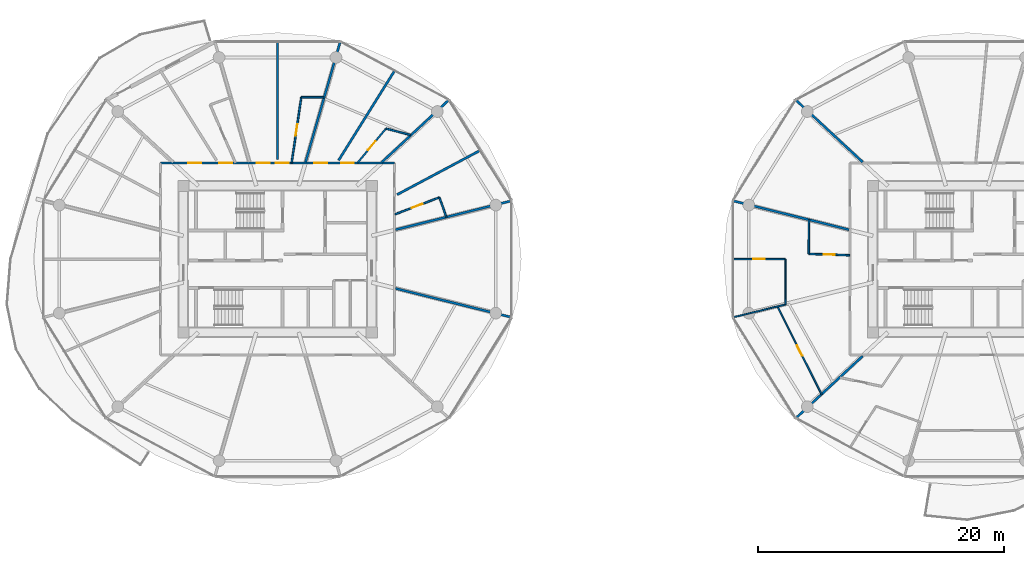
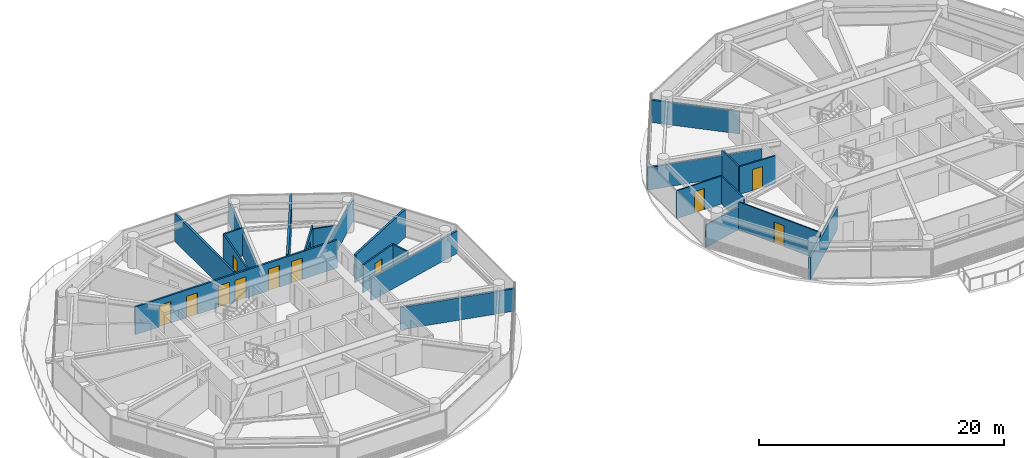
# One storey, part 17 of 27: 23 walls, 12 doors, 12 openings.
"""IFC4 building model written with IfcOpenShell, lengths in metres."""

from ifc_helpers import new_model, si_unit, direction, frame, frame_2d, origin, place, context, subcontext, project, spatial, rectangle, extrude, source, transform, mapped, material, layer, layer_set, type_object, type_shapes, element, fill, save


model = new_model("IFC4")

# Units and contexts
model_context = context("Model", 3, precision=1e-05, world=origin(), true_north=direction((0.0, 1.0)))
body_context = subcontext(model_context, "Body", "Model", "MODEL_VIEW")
ifc_project = project(units=[si_unit("LENGTHUNIT", "METRE"), si_unit("AREAUNIT", "SQUARE_METRE"), si_unit("VOLUMEUNIT", "CUBIC_METRE"), si_unit("PLANEANGLEUNIT", "RADIAN"), si_unit("MASSUNIT", "GRAM", prefix="KILO")], contexts=[model_context])

# Site, building, storey
site_placement = place(None, origin())
site = spatial("IfcSite", under=ifc_project, at=site_placement, CompositionType="ELEMENT")
building_placement = place(site_placement, origin())
building = spatial("IfcBuilding", under=site, at=building_placement, Name="Norrkilde Senior Care Towers", CompositionType="ELEMENT")
storey_placement = place(building_placement, frame((0.0, 0.0, 30.75)))
storey = spatial("IfcBuildingStorey", under=building, at=storey_placement, Name="L08", CompositionType="ELEMENT", Elevation=30.75)

# Wall, openings, doors
ifc_material_1 = material(Name="Gypsum Acoustic Board")
ifc_layer_1 = layer(ifc_material_1, 0.1650390625)
ifc_layer_set_1 = layer_set([ifc_layer_1], Name="Gypsum Acoustic Board")
wall_type_1 = type_object("IfcWallType", Name="Corridor Rated Partition 165", PredefinedType="PARTITIONING", material=ifc_layer_set_1)
shared_shape_1 = source(origin(), body_context, "Body", "SweptSolid", [
    extrude(rectangle(XDim=19.0, YDim=0.1650390625, at=frame_2d((9.5, 0.0))), origin(), (0.0, 0.0, 1.0), 2.77490234375),
])
type_shapes(wall_type_1, [shared_shape_1])
wall_1_placement = place(storey_placement, frame((-37.5, 7.800048828125, 0.0), z_axis=(0.0, 0.0, 1.0), x_axis=(1.0, 0.0, 0.0)))
wall_1 = element("IfcWall", 1, at=wall_1_placement, inside=storey, type_object=wall_type_1, Name="WL-INT-L08-W-CRW-N-0", PredefinedType="PARTITIONING", context=body_context, shape_type="MappedRepresentation", body=[
    mapped(shared_shape_1, transform((0.0, 0.0, 0.0), x_axis=(1.0, 0.0, 0.0), y_axis=(0.0, 1.0, 0.0), z_axis=(0.0, 0.0, 1.0), scale=1.0)),
])
opening_1_placement = place(wall_1_placement, frame((9.351806640625, 0.0, 0.0)))
opening_1 = element("IfcOpeningElement", 2, at=opening_1_placement, cuts=wall_1, Name="Opening D-06", PredefinedType="OPENING", context=body_context, shape_type="SweptSolid", body=[
    extrude(rectangle(XDim=1.050048828125, YDim=2.14990234375, at=frame_2d((0.52490234375, 1.074951171875))), frame((0.0, 0.092529296875, 0.0), z_axis=(0.0, -1.0, 0.0), x_axis=(1.0, 0.0, 0.0)), (0.0, 0.0, 1.0), 0.18505859375),
])
opening_2_placement = place(wall_1_placement, frame((7.806396484375, 0.0, 0.0)))
opening_2 = element("IfcOpeningElement", 3, at=opening_2_placement, cuts=wall_1, Name="Opening D-06", PredefinedType="OPENING", context=body_context, shape_type="SweptSolid", body=[
    extrude(rectangle(XDim=1.050048828125, YDim=2.14990234375, at=frame_2d((0.52490234375, 1.074951171875))), frame((0.0, 0.092529296875, 0.0), z_axis=(0.0, -1.0, 0.0), x_axis=(1.0, 0.0, 0.0)), (0.0, 0.0, 1.0), 0.18505859375),
])
opening_3_placement = place(wall_1_placement, frame((4.77294921875, 0.0, 0.0)))
opening_3 = element("IfcOpeningElement", 4, at=opening_3_placement, cuts=wall_1, Name="Opening D-06", PredefinedType="OPENING", context=body_context, shape_type="SweptSolid", body=[
    extrude(rectangle(XDim=1.050048828125, YDim=2.14990234375, at=frame_2d((0.52490234375, 1.074951171875))), frame((0.0, 0.092529296875, 0.0), z_axis=(0.0, -1.0, 0.0), x_axis=(1.0, 0.0, 0.0)), (0.0, 0.0, 1.0), 0.18505859375),
])
opening_4_placement = place(wall_1_placement, frame((2.251220703125, 0.0, 0.0)))
opening_4 = element("IfcOpeningElement", 5, at=opening_4_placement, cuts=wall_1, Name="Opening D-06", PredefinedType="OPENING", context=body_context, shape_type="SweptSolid", body=[
    extrude(rectangle(XDim=1.050048828125, YDim=2.14990234375, at=frame_2d((0.52490234375, 1.074951171875))), frame((0.0, 0.092529296875, 0.0), z_axis=(0.0, -1.0, 0.0), x_axis=(1.0, 0.0, 0.0)), (0.0, 0.0, 1.0), 0.18505859375),
])
opening_5_placement = place(wall_1_placement, frame((14.6533203125, 0.0, 0.0)))
opening_5 = element("IfcOpeningElement", 6, at=opening_5_placement, cuts=wall_1, Name="Opening D-06", PredefinedType="OPENING", context=body_context, shape_type="SweptSolid", body=[
    extrude(rectangle(XDim=1.050048828125, YDim=2.14990234375, at=frame_2d((0.52490234375, 1.074951171875))), frame((0.0, 0.092529296875, 0.0), z_axis=(0.0, -1.0, 0.0), x_axis=(1.0, 0.0, 0.0)), (0.0, 0.0, 1.0), 0.18505859375),
])
opening_6_placement = place(wall_1_placement, frame((12.499755859375, 0.0, 0.0)))
opening_6 = element("IfcOpeningElement", 7, at=opening_6_placement, cuts=wall_1, Name="Opening D-06", PredefinedType="OPENING", context=body_context, shape_type="SweptSolid", body=[
    extrude(rectangle(XDim=1.050048828125, YDim=2.14990234375, at=frame_2d((0.52490234375, 1.074951171875))), frame((0.0, 0.092529296875, 0.0), z_axis=(0.0, -1.0, 0.0), x_axis=(1.0, 0.0, 0.0)), (0.0, 0.0, 1.0), 0.18505859375),
])
ifc_material_2 = material(Name="Nordic Ash Timber", Category="wood")
door_type_1 = type_object("IfcDoorType", Name="Apartment Entrance Fire Door 1050x2150", OperationType="NOTDEFINED", PredefinedType="DOOR", material=ifc_material_2)
shared_shape_2 = source(origin(), body_context, "Body", "SweptSolid", [
    extrude(rectangle(XDim=1.050048828125, YDim=2.14990234375, at=frame_2d((0.52490234375, 1.074951171875))), frame((0.0, 0.02490234375, 0.0), z_axis=(0.0, -1.0, 0.0), x_axis=(1.0, 0.0, 0.0)), (0.0, 0.0, 1.0), 0.050048828125),
])
type_shapes(door_type_1, [shared_shape_2])
door_1_placement = place(opening_1_placement, frame((1.050048828125, 0.0, 0.0), z_axis=(0.0, 0.0, 1.0), x_axis=(-1.0, 0.0, 0.0)))
door_1 = element("IfcDoor", 8, at=door_1_placement, inside=storey, type_object=door_type_1, Name="L08 Care Suite 0802A Entrance Door", OperationType="SINGLE_SWING_LEFT", OverallHeight=2.14990234375, OverallWidth=1.050048828125, PredefinedType="DOOR", context=body_context, shape_type="MappedRepresentation", body=[
    mapped(shared_shape_2, transform((0.0, 0.0, 0.0), x_axis=(1.0, 0.0, 0.0), y_axis=(0.0, 1.0, 0.0), z_axis=(0.0, 0.0, 1.0), scale=1.0)),
])
fill(opening_1, door_1)
door_2_placement = place(opening_2_placement, frame((1.050048828125, 0.0, 0.0), z_axis=(0.0, 0.0, 1.0), x_axis=(-1.0, 0.0, 0.0)))
door_2 = element("IfcDoor", 9, at=door_2_placement, inside=storey, type_object=door_type_1, Name="L08 Therapy Day Lounge 02 Door", OperationType="SINGLE_SWING_RIGHT", OverallHeight=2.14990234375, OverallWidth=1.050048828125, PredefinedType="DOOR", context=body_context, shape_type="MappedRepresentation", body=[
    mapped(shared_shape_2, transform((0.0, 0.0, 0.0), x_axis=(1.0, 0.0, 0.0), y_axis=(0.0, 1.0, 0.0), z_axis=(0.0, 0.0, 1.0), scale=1.0)),
])
fill(opening_2, door_2)
door_3_placement = place(opening_3_placement, frame((1.050048828125, 0.0, 0.0), z_axis=(0.0, 0.0, 1.0), x_axis=(-1.0, 0.0, 0.0)))
door_3 = element("IfcDoor", 10, at=door_3_placement, inside=storey, type_object=door_type_1, Name="L08 Care Suite 0803A Entrance Door", OperationType="SINGLE_SWING_RIGHT", OverallHeight=2.14990234375, OverallWidth=1.050048828125, PredefinedType="DOOR", context=body_context, shape_type="MappedRepresentation", body=[
    mapped(shared_shape_2, transform((0.0, 0.0, 0.0), x_axis=(1.0, 0.0, 0.0), y_axis=(0.0, 1.0, 0.0), z_axis=(0.0, 0.0, 1.0), scale=1.0)),
])
fill(opening_3, door_3)
door_4_placement = place(opening_4_placement, frame((1.050048828125, 0.0, 0.0), z_axis=(0.0, 0.0, 1.0), x_axis=(-1.0, 0.0, 0.0)))
door_4 = element("IfcDoor", 11, at=door_4_placement, inside=storey, type_object=door_type_1, Name="L08 Therapy Day Lounge 03 Door", OperationType="SINGLE_SWING_LEFT", OverallHeight=2.14990234375, OverallWidth=1.050048828125, PredefinedType="DOOR", context=body_context, shape_type="MappedRepresentation", body=[
    mapped(shared_shape_2, transform((0.0, 0.0, 0.0), x_axis=(1.0, 0.0, 0.0), y_axis=(0.0, 1.0, 0.0), z_axis=(0.0, 0.0, 1.0), scale=1.0)),
])
fill(opening_4, door_4)
door_5_placement = place(opening_5_placement, frame((1.050048828125, 0.0, 0.0), z_axis=(0.0, 0.0, 1.0), x_axis=(-1.0, 0.0, 0.0)))
door_5 = element("IfcDoor", 12, at=door_5_placement, inside=storey, type_object=door_type_1, Name="L08 Care Suite 0801A Entrance Door", OperationType="SINGLE_SWING_RIGHT", OverallHeight=2.14990234375, OverallWidth=1.050048828125, PredefinedType="DOOR", context=body_context, shape_type="MappedRepresentation", body=[
    mapped(shared_shape_2, transform((0.0, 0.0, 0.0), x_axis=(1.0, 0.0, 0.0), y_axis=(0.0, 1.0, 0.0), z_axis=(0.0, 0.0, 1.0), scale=1.0)),
])
fill(opening_5, door_5)
door_6_placement = place(opening_6_placement, frame((1.050048828125, 0.0, 0.0), z_axis=(0.0, 0.0, 1.0), x_axis=(-1.0, 0.0, 0.0)))
door_6 = element("IfcDoor", 13, at=door_6_placement, inside=storey, type_object=door_type_1, Name="L08 Therapy Day Lounge 01 Door", OperationType="SINGLE_SWING_LEFT", OverallHeight=2.14990234375, OverallWidth=1.050048828125, PredefinedType="DOOR", context=body_context, shape_type="MappedRepresentation", body=[
    mapped(shared_shape_2, transform((0.0, 0.0, 0.0), x_axis=(1.0, 0.0, 0.0), y_axis=(0.0, 1.0, 0.0), z_axis=(0.0, 0.0, 1.0), scale=1.0)),
])
fill(opening_6, door_6)

# Wall
ifc_layer_2 = layer(ifc_material_1, 0.18994140625)
ifc_layer_set_2 = layer_set([ifc_layer_2], Name="Gypsum Acoustic Board")
wall_type_2 = type_object("IfcWallType", Name="Unit Demising Acoustic Wall 190", PredefinedType="PARTITIONING", material=ifc_layer_set_2)
shared_shape_3 = source(origin(), body_context, "Body", "SweptSolid", [
    extrude(rectangle(XDim=8.59814453125, YDim=0.18994140625, at=frame_2d((4.299072265625, 0.0))), origin(), (0.0, 0.0, 1.0), 2.77490234375),
])
wall_2_placement = place(storey_placement, frame((-23.04296875, 8.017333984375, 0.0), z_axis=(0.0, 0.0, 1.0), x_axis=(0.530039776395, 0.847972779893, 0.0)))
element("IfcWall", 14, at=wall_2_placement, inside=storey, type_object=wall_type_2, Name="WL-INT-L08-W-CMID-01", PredefinedType="PARTITIONING", context=body_context, shape_type="MappedRepresentation", body=[
    mapped(shared_shape_3, transform((0.0, 0.0, 0.0), x_axis=(1.0, 0.0, 0.0), y_axis=(0.0, 1.0, 0.0), z_axis=(0.0, 0.0, 1.0), scale=1.0)),
])

# Wall, opening, door
ifc_layer_3 = layer(ifc_material_1, 0.139892578125)
ifc_layer_set_3 = layer_set([ifc_layer_3], Name="Gypsum Acoustic Board")
wall_type_3 = type_object("IfcWallType", Name="En-suite Wet Room Wall 140", PredefinedType="PARTITIONING", material=ifc_layer_set_3)
shared_shape_4 = source(origin(), body_context, "Body", "SweptSolid", [
    extrude(rectangle(XDim=3.594482421875, YDim=0.139892578125, at=frame_2d((1.79736328125, 0.0))), origin(), (0.0, 0.0, 1.0), 2.77490234375),
])
wall_3_placement = place(storey_placement, frame((-21.49560546875, 7.830078125, 0.0), z_axis=(0.0, 0.0, 1.0), x_axis=(0.639001147083, 0.769205781326, 0.0)))
wall_3 = element("IfcWall", 15, at=wall_3_placement, inside=storey, type_object=wall_type_3, Name="WL-INT-L08-W-ES-01A", PredefinedType="PARTITIONING", context=body_context, shape_type="MappedRepresentation", body=[
    mapped(shared_shape_4, transform((0.0, 0.0, 0.0), x_axis=(1.0, 0.0, 0.0), y_axis=(0.0, 1.0, 0.0), z_axis=(0.0, 0.0, 1.0), scale=1.0)),
])
opening_7_placement = place(wall_3_placement, frame((1.33740234375, 0.0, 0.0)))
opening_7 = element("IfcOpeningElement", 16, at=opening_7_placement, cuts=wall_3, Name="Opening D-08", PredefinedType="OPENING", context=body_context, shape_type="SweptSolid", body=[
    extrude(rectangle(XDim=0.919921875, YDim=2.10009765625, at=frame_2d((0.4599609375, 1.050048828125))), frame((0.0, 0.079833984375, 0.0), z_axis=(0.0, -1.0, 0.0), x_axis=(1.0, 0.0, 0.0)), (0.0, 0.0, 1.0), 0.159912109375),
])
door_type_2 = type_object("IfcDoorType", Name="Accessible Wet Room Door 920x2100", OperationType="NOTDEFINED", PredefinedType="DOOR", material=ifc_material_2)
shared_shape_5 = source(origin(), body_context, "Body", "SweptSolid", [
    extrude(rectangle(XDim=0.919921875, YDim=2.10009765625, at=frame_2d((0.4599609375, 1.050048828125))), frame((0.0, 0.02490234375, 0.0), z_axis=(0.0, -1.0, 0.0), x_axis=(1.0, 0.0, 0.0)), (0.0, 0.0, 1.0), 0.050048828125),
])
type_shapes(door_type_2, [shared_shape_5])
door_7_placement = place(opening_7_placement, origin())
door_7 = element("IfcDoor", 17, at=door_7_placement, inside=storey, type_object=door_type_2, Name="L08 Care Suite 0801A Bathroom Door", OperationType="SINGLE_SWING_LEFT", OverallHeight=2.10009765625, OverallWidth=0.919921875, PredefinedType="DOOR", context=body_context, shape_type="MappedRepresentation", body=[
    mapped(shared_shape_5, transform((0.0, 0.0, 0.0), x_axis=(1.0, 0.0, 0.0), y_axis=(0.0, 1.0, 0.0), z_axis=(0.0, 0.0, 1.0), scale=1.0)),
])
fill(opening_7, door_7)

# Wall
shared_shape_6 = source(origin(), body_context, "Body", "SweptSolid", [
    extrude(rectangle(XDim=7.6767578125, YDim=0.18994140625, at=frame_2d((3.83837890625, 0.0))), origin(), (0.0, 0.0, 1.0), 2.77490234375),
])
wall_4_placement = place(storey_placement, frame((-18.296875, 5.23095703125, 0.0), z_axis=(0.0, 0.0, 1.0), x_axis=(0.882725057546, 0.469889851753, 0.0)))
element("IfcWall", 18, at=wall_4_placement, inside=storey, type_object=wall_type_2, Name="WL-INT-L08-W-CMID-00", PredefinedType="PARTITIONING", context=body_context, shape_type="MappedRepresentation", body=[
    mapped(shared_shape_6, transform((0.0, 0.0, 0.0), x_axis=(1.0, 0.0, 0.0), y_axis=(0.0, 1.0, 0.0), z_axis=(0.0, 0.0, 1.0), scale=1.0)),
])

# Wall, opening, door
shared_shape_7 = source(origin(), body_context, "Body", "SweptSolid", [
    extrude(rectangle(XDim=3.8740234375, YDim=0.139892578125, at=frame_2d((1.93701171875, 0.0))), origin(), (0.0, 0.0, 1.0), 2.77490234375),
])
wall_5_placement = place(storey_placement, frame((-18.469970703125, 3.631591796875, 0.0), z_axis=(0.0, 0.0, 1.0), x_axis=(0.934461775659, 0.35606346321, 0.0)))
wall_5 = element("IfcWall", 19, at=wall_5_placement, inside=storey, type_object=wall_type_3, Name="WL-INT-L08-W-ES-00A", PredefinedType="PARTITIONING", context=body_context, shape_type="MappedRepresentation", body=[
    mapped(shared_shape_7, transform((0.0, 0.0, 0.0), x_axis=(1.0, 0.0, 0.0), y_axis=(0.0, 1.0, 0.0), z_axis=(0.0, 0.0, 1.0), scale=1.0)),
])
opening_8_placement = place(wall_5_placement, frame((1.47705078125, 0.0, 0.0)))
opening_8 = element("IfcOpeningElement", 20, at=opening_8_placement, cuts=wall_5, Name="Opening D-08", PredefinedType="OPENING", context=body_context, shape_type="SweptSolid", body=[
    extrude(rectangle(XDim=0.919921875, YDim=2.10009765625, at=frame_2d((0.4599609375, 1.050048828125))), frame((0.0, 0.079833984375, 0.0), z_axis=(0.0, -1.0, 0.0), x_axis=(1.0, 0.0, 0.0)), (0.0, 0.0, 1.0), 0.159912109375),
])
door_8_placement = place(opening_8_placement, origin())
door_8 = element("IfcDoor", 21, at=door_8_placement, inside=storey, type_object=door_type_2, Name="L08 Care Suite 0800A Bathroom Door", OperationType="SINGLE_SWING_RIGHT", OverallHeight=2.10009765625, OverallWidth=0.919921875, PredefinedType="DOOR", context=body_context, shape_type="MappedRepresentation", body=[
    mapped(shared_shape_5, transform((0.0, 0.0, 0.0), x_axis=(1.0, 0.0, 0.0), y_axis=(0.0, 1.0, 0.0), z_axis=(0.0, 0.0, 1.0), scale=1.0)),
])
fill(opening_8, door_8)

# Wall
shared_shape_8 = source(origin(), body_context, "Body", "SweptSolid", [
    extrude(rectangle(XDim=1.67578125, YDim=0.139892578125, at=frame_2d((0.837890625, 0.0))), origin(), (0.0, 0.0, 1.0), 2.77490234375),
])
wall_6_placement = place(storey_placement, frame((-14.849853515625, 5.010986328125, 0.0), z_axis=(0.0, 0.0, 1.0), x_axis=(0.327785970556, -0.944752008469, 0.0)))
element("IfcWall", 22, at=wall_6_placement, inside=storey, type_object=wall_type_3, Name="WL-INT-L08-W-EF-00A", PredefinedType="PARTITIONING", context=body_context, shape_type="MappedRepresentation", body=[
    mapped(shared_shape_8, transform((0.0, 0.0, 0.0), x_axis=(1.0, 0.0, 0.0), y_axis=(0.0, 1.0, 0.0), z_axis=(0.0, 0.0, 1.0), scale=1.0)),
])

# Wall, opening, door
ifc_layer_4 = layer(ifc_material_1, 0.114990234375)
ifc_layer_set_4 = layer_set([ifc_layer_4], Name="Gypsum Acoustic Board")
wall_type_4 = type_object("IfcWallType", Name="Internal Room Partition 115", PredefinedType="PARTITIONING", material=ifc_layer_set_4)
shared_shape_9 = source(origin(), body_context, "Body", "SweptSolid", [
    extrude(rectangle(XDim=8.017822265625, YDim=0.114990234375, at=frame_2d((4.0087890625, 0.0))), origin(), (0.0, 0.0, 1.0), 2.77490234375),
])
wall_7_placement = place(storey_placement, frame((12.595947265625, -3.854248046875, 0.0), z_axis=(0.0, 0.0, 1.0), x_axis=(0.450134355233, -0.89296084026, 0.0)))
wall_7 = element("IfcWall", 23, at=wall_7_placement, inside=storey, type_object=wall_type_4, Name="WL-INT-L08-E-UBC-05-1", PredefinedType="PARTITIONING", context=body_context, shape_type="MappedRepresentation", body=[
    mapped(shared_shape_9, transform((0.0, 0.0, 0.0), x_axis=(1.0, 0.0, 0.0), y_axis=(0.0, 1.0, 0.0), z_axis=(0.0, 0.0, 1.0), scale=1.0)),
])
opening_9_placement = place(wall_7_placement, frame((3.533935546875, 0.0, 0.0)))
opening_9 = element("IfcOpeningElement", 24, at=opening_9_placement, cuts=wall_7, Name="Opening D-07", PredefinedType="OPENING", context=body_context, shape_type="SweptSolid", body=[
    extrude(rectangle(XDim=0.949951171875, YDim=2.10009765625, at=frame_2d((0.47509765625, 1.050048828125))), frame((0.0, 0.0673828125, 0.0), z_axis=(0.0, -1.0, 0.0), x_axis=(1.0, 0.0, 0.0)), (0.0, 0.0, 1.0), 0.135009765625),
])
door_type_3 = type_object("IfcDoorType", Name="Internal Suite Bedroom Door 950x2100", OperationType="NOTDEFINED", PredefinedType="DOOR", material=ifc_material_2)
shared_shape_10 = source(origin(), body_context, "Body", "SweptSolid", [
    extrude(rectangle(XDim=0.949951171875, YDim=2.10009765625, at=frame_2d((0.47509765625, 1.050048828125))), frame((0.0, 0.02490234375, 0.0), z_axis=(0.0, -1.0, 0.0), x_axis=(1.0, 0.0, 0.0)), (0.0, 0.0, 1.0), 0.050048828125),
])
type_shapes(door_type_3, [shared_shape_10])
door_9_placement = place(opening_9_placement, origin())
door_9 = element("IfcDoor", 25, at=door_9_placement, inside=storey, type_object=door_type_3, Name="Apartment 08D Bedroom 1 Door", OperationType="SINGLE_SWING_LEFT", OverallHeight=2.10009765625, OverallWidth=0.949951171875, PredefinedType="DOOR", context=body_context, shape_type="MappedRepresentation", body=[
    mapped(shared_shape_10, transform((0.0, 0.0, 0.0), x_axis=(1.0, 0.0, 0.0), y_axis=(0.0, 1.0, 0.0), z_axis=(0.0, 0.0, 1.0), scale=1.0)),
])
fill(opening_9, door_9)

shared_shape_11 = source(origin(), body_context, "Body", "SweptSolid", [
    extrude(rectangle(XDim=3.323486328125, YDim=0.139892578125, at=frame_2d((1.66162109375, 0.0))), origin(), (0.0, 0.0, 1.0), 2.77490234375),
])
wall_8_placement = place(storey_placement, frame((18.469970703125, 0.310791015625, 0.0), z_axis=(0.0, 0.0, 1.0), x_axis=(-0.999467979553, 0.032615300817, 0.0)))
wall_8 = element("IfcWall", 26, at=wall_8_placement, inside=storey, type_object=wall_type_3, Name="WL-INT-L08-E-UBTS-05", PredefinedType="PARTITIONING", context=body_context, shape_type="MappedRepresentation", body=[
    mapped(shared_shape_11, transform((0.0, 0.0, 0.0), x_axis=(1.0, 0.0, 0.0), y_axis=(0.0, 1.0, 0.0), z_axis=(0.0, 0.0, 1.0), scale=1.0)),
])
opening_10_placement = place(wall_8_placement, frame((1.201904296875, 0.0, 0.0)))
opening_10 = element("IfcOpeningElement", 27, at=opening_10_placement, cuts=wall_8, Name="Opening D-08", PredefinedType="OPENING", context=body_context, shape_type="SweptSolid", body=[
    extrude(rectangle(XDim=0.919921875, YDim=2.10009765625, at=frame_2d((0.4599609375, 1.050048828125))), frame((0.0, 0.079833984375, 0.0), z_axis=(0.0, -1.0, 0.0), x_axis=(1.0, 0.0, 0.0)), (0.0, 0.0, 1.0), 0.159912109375),
])
door_10_placement = place(opening_10_placement, origin())
door_10 = element("IfcDoor", 28, at=door_10_placement, inside=storey, type_object=door_type_2, Name="Apartment 08D Bathroom Door", OperationType="SINGLE_SWING_LEFT", OverallHeight=2.10009765625, OverallWidth=0.919921875, PredefinedType="DOOR", context=body_context, shape_type="MappedRepresentation", body=[
    mapped(shared_shape_5, transform((0.0, 0.0, 0.0), x_axis=(1.0, 0.0, 0.0), y_axis=(0.0, 1.0, 0.0), z_axis=(0.0, 0.0, 1.0), scale=1.0)),
])
fill(opening_10, door_10)

# Walls
shared_shape_12 = source(origin(), body_context, "Body", "SweptSolid", [
    extrude(rectangle(XDim=2.795166015625, YDim=0.139892578125, at=frame_2d((1.3974609375, 0.0))), origin(), (0.0, 0.0, 1.0), 2.77490234375),
])
wall_9_placement = place(storey_placement, frame((15.148193359375, 0.419189453125, 0.0), z_axis=(0.0, 0.0, 1.0), x_axis=(0.001659531299, 0.999998622977, 0.0)))
element("IfcWall", 29, at=wall_9_placement, inside=storey, type_object=wall_type_3, Name="WL-INT-L08-E-UBTF-05", PredefinedType="PARTITIONING", context=body_context, shape_type="MappedRepresentation", body=[
    mapped(shared_shape_12, transform((0.0, 0.0, 0.0), x_axis=(1.0, 0.0, 0.0), y_axis=(0.0, 1.0, 0.0), z_axis=(0.0, 0.0, 1.0), scale=1.0)),
])
shared_shape_13 = source(origin(), body_context, "Body", "SweptSolid", [
    extrude(rectangle(XDim=7.4345703125, YDim=0.18994140625, at=frame_2d((3.71728515625, 0.0))), origin(), (0.0, 0.0, 1.0), 2.22509765625),
])
for number, where, z_axis, x_axis, name in (
    (30, (-19.51708984375, 7.8798828125, 0.0), (0.0, 0.0, 1.0), (0.732651956848, 0.680603489652, 0.0), "WL-INT-L08-W-DEM-01-0"),
    (31, (19.51708984375, 7.8798828125, 0.0), (0.0, 0.0, 1.0), (-0.732651956848, 0.680603489652, 0.0), "WL-INT-L08-E-DEM-04-0"),
    (32, (19.51708984375, -7.8798828125, 0.0), (0.0, 0.0, 1.0), (-0.732651956848, -0.680603489652, 0.0), "WL-INT-L08-E-DEM-07-0"),
):
    element("IfcWall", number, at=place(storey_placement, frame(where, z_axis=z_axis, x_axis=x_axis)), inside=storey, type_object=wall_type_2, Name=name, PredefinedType="PARTITIONING", context=body_context, shape_type="MappedRepresentation", body=[
        mapped(shared_shape_13, transform((0.0, 0.0, 0.0), x_axis=(1.0, 0.0, 0.0), y_axis=(0.0, 1.0, 0.0), z_axis=(0.0, 0.0, 1.0), scale=1.0)),
    ])
shared_shape_14 = source(origin(), body_context, "Body", "SweptSolid", [
    extrude(rectangle(XDim=10.196044921875, YDim=0.18994140625, at=frame_2d((5.09814453125, 0.0))), origin(), (0.0, 0.0, 1.0), 2.22509765625),
])
wall_10_placement = place(storey_placement, frame((-25.72705078125, 7.8798828125, 0.0), z_axis=(0.0, 0.0, 1.0), x_axis=(0.277136420347, 0.960830580549, 0.0)))
element("IfcWall", 33, at=wall_10_placement, inside=storey, type_object=wall_type_2, Name="WL-INT-L08-W-DEM-02-0", PredefinedType="PARTITIONING", context=body_context, shape_type="MappedRepresentation", body=[
    mapped(shared_shape_14, transform((0.0, 0.0, 0.0), x_axis=(1.0, 0.0, 0.0), y_axis=(0.0, 1.0, 0.0), z_axis=(0.0, 0.0, 1.0), scale=1.0)),
])
shared_shape_15 = source(origin(), body_context, "Body", "SweptSolid", [
    extrude(rectangle(XDim=2.06201171875, YDim=0.139892578125, at=frame_2d((1.031005859375, 0.0))), origin(), (0.0, 0.0, 1.0), 2.4150390625),
])
wall_11_placement = place(storey_placement, frame((-19.19873046875, 10.594970703125, 0.0), z_axis=(0.0, 0.0, 1.0), x_axis=(0.968776253543, -0.247936626121, 0.0)))
element("IfcWall", 34, at=wall_11_placement, inside=storey, type_object=wall_type_3, Name="WL-INT-L08-W-EF-01A", PredefinedType="PARTITIONING", context=body_context, shape_type="MappedRepresentation", body=[
    mapped(shared_shape_15, transform((0.0, 0.0, 0.0), x_axis=(1.0, 0.0, 0.0), y_axis=(0.0, 1.0, 0.0), z_axis=(0.0, 0.0, 1.0), scale=1.0)),
])
shared_shape_16 = source(origin(), body_context, "Body", "SweptSolid", [
    extrude(rectangle(XDim=9.737060546875, YDim=0.18994140625, at=frame_2d((4.86865234375, 0.0))), origin(), (0.0, 0.0, 1.0), 2.22509765625),
])
for number, where, z_axis, x_axis, name in (
    (35, (-18.419921875, -2.384521484375, 0.0), (0.0, 0.0, 1.0), (0.970392716238, -0.241532557375, 0.0), "WL-INT-L08-W-DEM-11-0"),
    (36, (-18.419921875, 2.384521484375, 0.0), (0.0, 0.0, 1.0), (0.970392716238, 0.241532557375, 0.0), "WL-INT-L08-W-DEM-00-0"),
    (37, (18.419921875, 2.384521484375, 0.0), (0.0, 0.0, 1.0), (-0.970392716238, 0.241532557375, 0.0), "WL-INT-L08-E-DEM-05-0"),
):
    element("IfcWall", number, at=place(storey_placement, frame(where, z_axis=z_axis, x_axis=x_axis)), inside=storey, type_object=wall_type_2, Name=name, PredefinedType="PARTITIONING", context=body_context, shape_type="MappedRepresentation", body=[
        mapped(shared_shape_16, transform((0.0, 0.0, 0.0), x_axis=(1.0, 0.0, 0.0), y_axis=(0.0, 1.0, 0.0), z_axis=(0.0, 0.0, 1.0), scale=1.0)),
    ])
shared_shape_17 = source(origin(), body_context, "Body", "SweptSolid", [
    extrude(rectangle(XDim=9.6005859375, YDim=0.18994140625, at=frame_2d((4.80029296875, 0.0))), origin(), (0.0, 0.0, 1.0), 2.77490234375),
])
type_shapes(wall_type_2, [shared_shape_3, shared_shape_6, shared_shape_13, shared_shape_14, shared_shape_16, shared_shape_17])
wall_12_placement = place(storey_placement, frame((-28.0, 8.075927734375, 0.0), z_axis=(0.0, 0.0, 1.0), x_axis=(0.0, 1.0, 0.0)))
element("IfcWall", 38, at=wall_12_placement, inside=storey, type_object=wall_type_2, Name="WL-INT-L08-W-CMID-02", PredefinedType="PARTITIONING", context=body_context, shape_type="MappedRepresentation", body=[
    mapped(shared_shape_17, transform((0.0, 0.0, 0.0), x_axis=(1.0, 0.0, 0.0), y_axis=(0.0, 1.0, 0.0), z_axis=(0.0, 0.0, 1.0), scale=1.0)),
])

# Wall, opening, door
shared_shape_18 = source(origin(), body_context, "Body", "SweptSolid", [
    extrude(rectangle(XDim=5.36962890625, YDim=0.139892578125, at=frame_2d((2.684814453125, 0.0))), origin(), (0.0, 0.0, 1.0), 2.77490234375),
])
wall_13_placement = place(storey_placement, frame((-26.851318359375, 7.830078125, 0.0), z_axis=(0.0, 0.0, 1.0), x_axis=(0.145131397853, 0.989412389935, 0.0)))
wall_13 = element("IfcWall", 39, at=wall_13_placement, inside=storey, type_object=wall_type_3, Name="WL-INT-L08-W-ES-02A", PredefinedType="PARTITIONING", context=body_context, shape_type="MappedRepresentation", body=[
    mapped(shared_shape_18, transform((0.0, 0.0, 0.0), x_axis=(1.0, 0.0, 0.0), y_axis=(0.0, 1.0, 0.0), z_axis=(0.0, 0.0, 1.0), scale=1.0)),
])
opening_11_placement = place(wall_13_placement, frame((2.224853515625, 0.0, 0.0)))
opening_11 = element("IfcOpeningElement", 40, at=opening_11_placement, cuts=wall_13, Name="Opening D-08", PredefinedType="OPENING", context=body_context, shape_type="SweptSolid", body=[
    extrude(rectangle(XDim=0.919921875, YDim=2.10009765625, at=frame_2d((0.4599609375, 1.050048828125))), frame((0.0, 0.079833984375, 0.0), z_axis=(0.0, -1.0, 0.0), x_axis=(1.0, 0.0, 0.0)), (0.0, 0.0, 1.0), 0.159912109375),
])
door_11_placement = place(opening_11_placement, origin())
door_11 = element("IfcDoor", 41, at=door_11_placement, inside=storey, type_object=door_type_2, Name="L08 Care Suite 0802A Bathroom Door", OperationType="SINGLE_SWING_RIGHT", OverallHeight=2.10009765625, OverallWidth=0.919921875, PredefinedType="DOOR", context=body_context, shape_type="MappedRepresentation", body=[
    mapped(shared_shape_5, transform((0.0, 0.0, 0.0), x_axis=(1.0, 0.0, 0.0), y_axis=(0.0, 1.0, 0.0), z_axis=(0.0, 0.0, 1.0), scale=1.0)),
])
fill(opening_11, door_11)

# Walls
shared_shape_19 = source(origin(), body_context, "Body", "SweptSolid", [
    extrude(rectangle(XDim=1.842529296875, YDim=0.139892578125, at=frame_2d((0.92138671875, 0.0))), origin(), (0.0, 0.0, 1.0), 2.77490234375),
])
type_shapes(wall_type_3, [shared_shape_4, shared_shape_7, shared_shape_8, shared_shape_11, shared_shape_12, shared_shape_15, shared_shape_18, shared_shape_19])
wall_14_placement = place(storey_placement, frame((-26.072021484375, 13.142822265625, 0.0), z_axis=(0.0, 0.0, 1.0), x_axis=(0.999998937801, -0.001457531246, 0.0)))
element("IfcWall", 42, at=wall_14_placement, inside=storey, type_object=wall_type_3, Name="WL-INT-L08-W-EF-02A", PredefinedType="PARTITIONING", context=body_context, shape_type="MappedRepresentation", body=[
    mapped(shared_shape_19, transform((0.0, 0.0, 0.0), x_axis=(1.0, 0.0, 0.0), y_axis=(0.0, 1.0, 0.0), z_axis=(0.0, 0.0, 1.0), scale=1.0)),
])
shared_shape_20 = source(origin(), body_context, "Body", "SweptSolid", [
    extrude(rectangle(XDim=4.4140625, YDim=0.114990234375, at=frame_2d((2.20703125, 0.0))), origin(), (0.0, 0.0, 1.0), 2.22509765625),
])
wall_15_placement = place(storey_placement, frame((13.259033203125, -3.688232421875, 0.0), z_axis=(0.0, 0.0, 1.0), x_axis=(-0.971401274504, -0.237443812073, 0.0)))
element("IfcWall", 43, at=wall_15_placement, inside=storey, type_object=wall_type_4, Name="WL-INT-L08-E-UBR-05-1", PredefinedType="PARTITIONING", context=body_context, shape_type="MappedRepresentation", body=[
    mapped(shared_shape_20, transform((0.0, 0.0, 0.0), x_axis=(1.0, 0.0, 0.0), y_axis=(0.0, 1.0, 0.0), z_axis=(0.0, 0.0, 1.0), scale=1.0)),
])

# Wall, opening, door
shared_shape_21 = source(origin(), body_context, "Body", "SweptSolid", [
    extrude(rectangle(XDim=4.27880859375, YDim=0.114990234375, at=frame_2d((2.139404296875, 0.0))), origin(), (0.0, 0.0, 1.0), 2.77490234375),
])
wall_16_placement = place(storey_placement, frame((13.25, 0.0, 0.0), z_axis=(0.0, 0.0, 1.0), x_axis=(-1.0, 0.0, 0.0)))
wall_16 = element("IfcWall", 44, at=wall_16_placement, inside=storey, type_object=wall_type_4, Name="WL-INT-L08-E-UKTS-05", PredefinedType="PARTITIONING", context=body_context, shape_type="MappedRepresentation", body=[
    mapped(shared_shape_21, transform((0.0, 0.0, 0.0), x_axis=(1.0, 0.0, 0.0), y_axis=(0.0, 1.0, 0.0), z_axis=(0.0, 0.0, 1.0), scale=1.0)),
])
opening_12_placement = place(wall_16_placement, frame((1.664306640625, 0.0, 0.0)))
opening_12 = element("IfcOpeningElement", 45, at=opening_12_placement, cuts=wall_16, Name="Opening D-07", PredefinedType="OPENING", context=body_context, shape_type="SweptSolid", body=[
    extrude(rectangle(XDim=0.949951171875, YDim=2.10009765625, at=frame_2d((0.47509765625, 1.050048828125))), frame((0.0, 0.0673828125, 0.0), z_axis=(0.0, -1.0, 0.0), x_axis=(1.0, 0.0, 0.0)), (0.0, 0.0, 1.0), 0.135009765625),
])
door_12_placement = place(opening_12_placement, frame((0.949951171875, 0.0, 0.0), z_axis=(0.0, 0.0, 1.0), x_axis=(-1.0, 0.0, 0.0)))
door_12 = element("IfcDoor", 46, at=door_12_placement, inside=storey, type_object=door_type_3, Name="Apartment 08D Kitchen Door", OperationType="SINGLE_SWING_RIGHT", OverallHeight=2.10009765625, OverallWidth=0.949951171875, PredefinedType="DOOR", context=body_context, shape_type="MappedRepresentation", body=[
    mapped(shared_shape_10, transform((0.0, 0.0, 0.0), x_axis=(1.0, 0.0, 0.0), y_axis=(0.0, 1.0, 0.0), z_axis=(0.0, 0.0, 1.0), scale=1.0)),
])
fill(opening_12, door_12)

# Wall
shared_shape_22 = source(origin(), body_context, "Body", "SweptSolid", [
    extrude(rectangle(XDim=3.688720703125, YDim=0.114990234375, at=frame_2d((1.84423828125, 0.0))), origin(), (0.0, 0.0, 1.0), 2.77490234375),
])
type_shapes(wall_type_4, [shared_shape_9, shared_shape_20, shared_shape_21, shared_shape_22])
wall_17_placement = place(storey_placement, frame((13.25, 0.0, 0.0), z_axis=(0.0, 0.0, 1.0), x_axis=(0.001919382261, -0.999998157984, 0.0)))
element("IfcWall", 47, at=wall_17_placement, inside=storey, type_object=wall_type_4, Name="WL-INT-L08-E-UKTF-05", PredefinedType="PARTITIONING", context=body_context, shape_type="MappedRepresentation", body=[
    mapped(shared_shape_22, transform((0.0, 0.0, 0.0), x_axis=(1.0, 0.0, 0.0), y_axis=(0.0, 1.0, 0.0), z_axis=(0.0, 0.0, 1.0), scale=1.0)),
])

save(model, "model.ifc")
